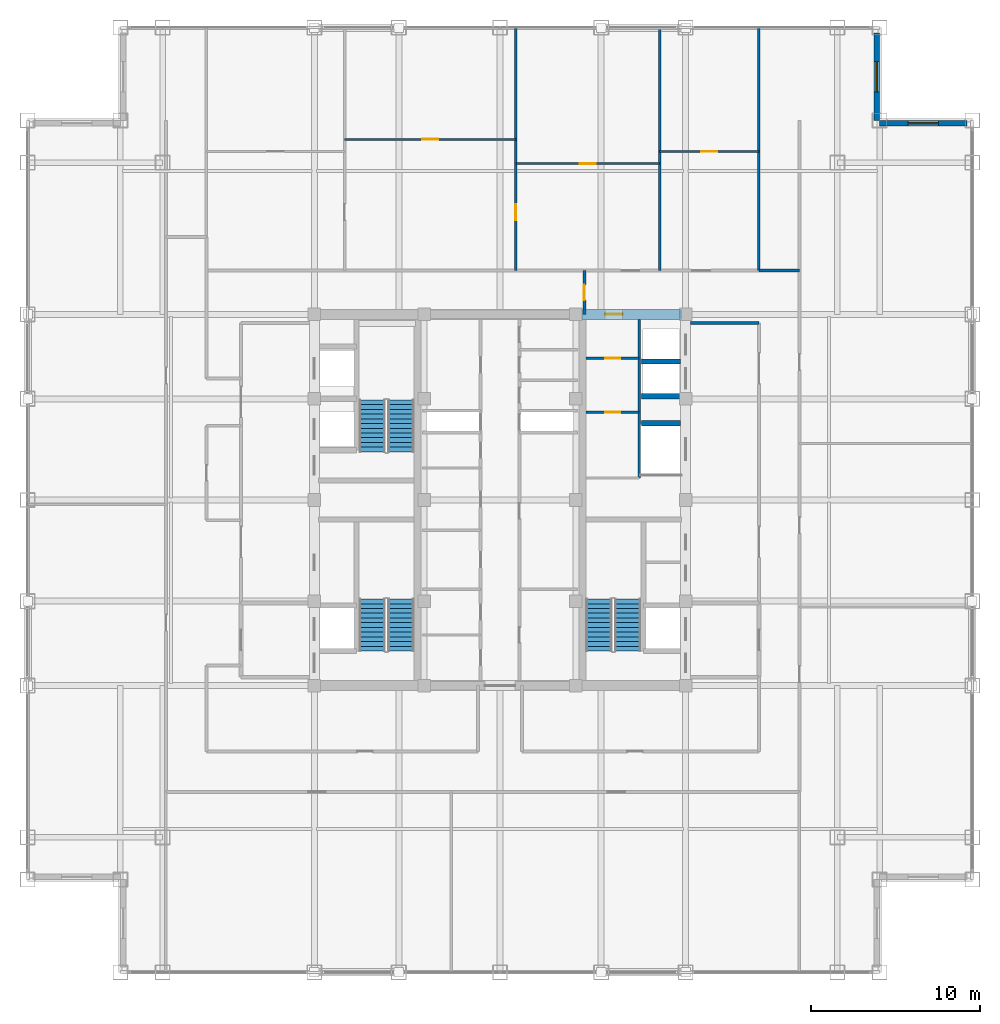
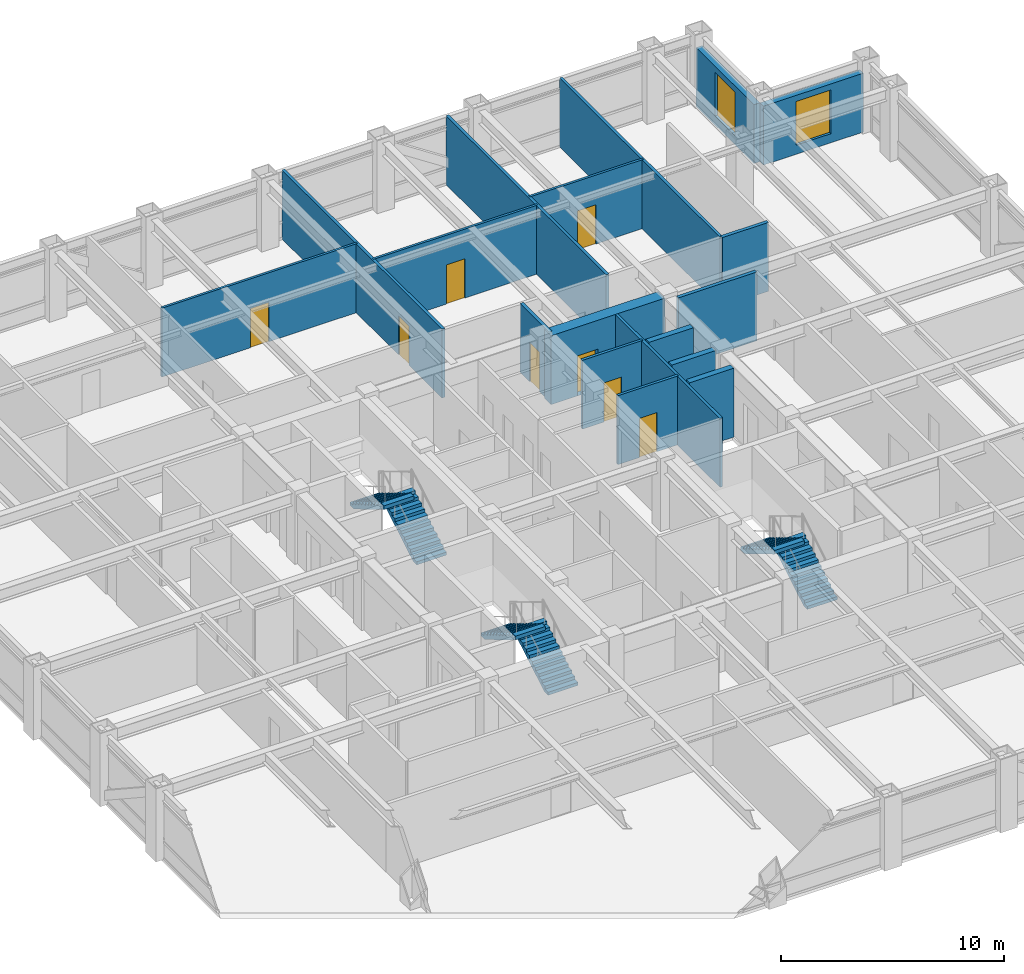
# One storey, part 21 of 22: 18 walls, 8 doors, 6 stair flights, 2 windows, 10 openings, 3 elements without a shape of their own.
"""IFC4 building model written with IfcOpenShell, lengths in metres."""

from ifc_helpers import new_model, si_unit, direction, frame, frame_2d, origin, place, context, subcontext, project, spatial, polyline, rectangle, outline, extrude, source, transform, mapped, material, layer, layer_set, type_object, element, fill, aggregate, save


model = new_model("IFC4")

# Units and contexts
model_context = context("Model", 3, precision=1e-05, world=origin(), true_north=direction((0.0, 1.0)))
body_context = subcontext(model_context, "Body", "Model", "MODEL_VIEW")
ifc_project = project(units=[si_unit("LENGTHUNIT", "METRE"), si_unit("AREAUNIT", "SQUARE_METRE"), si_unit("VOLUMEUNIT", "CUBIC_METRE"), si_unit("PLANEANGLEUNIT", "RADIAN"), si_unit("MASSUNIT", "GRAM", prefix="KILO")], contexts=[model_context])

# Site, building, storey
site_placement = place(None, origin())
site = spatial("IfcSite", under=ifc_project, at=site_placement, CompositionType="ELEMENT")
building_placement = place(site_placement, origin())
building = spatial("IfcBuilding", under=site, at=building_placement, Name="Khorayat Bourse Tower", CompositionType="ELEMENT")
storey_placement = place(building_placement, frame((0.0, 0.0, 301.5)))
storey = spatial("IfcBuildingStorey", under=building, at=storey_placement, Name="L71", CompositionType="ELEMENT", Elevation=301.5)

# Wall, opening, door
ifc_material_1 = material(Name="Concrete C60/75", Category="concrete")
ifc_layer_1 = layer(ifc_material_1, 0.60009765625)
ifc_layer_set_1 = layer_set([ifc_layer_1], Name="Concrete C60/75")
wall_type_1 = type_object("IfcWallType", Name="WAL-CORE-600", PredefinedType="SHEAR", material=ifc_layer_set_1)
shared_shape_1 = source(origin(), body_context, "Body", "SweptSolid", [
    extrude(rectangle(XDim=5.89990234375, YDim=0.60009765625, at=frame_2d((2.949951171875, 0.0))), origin(), (0.0, 0.0, 1.0), 3.780029296875),
])
wall_1_placement = place(storey_placement, frame((4.85009765625, 11.0, 0.0), z_axis=(0.0, 0.0, 1.0), x_axis=(1.0, 0.0, 0.0)))
wall_1 = element("IfcWall", 1, at=wall_1_placement, inside=storey, type_object=wall_type_1, Name="L71 Core Shear Wall PIER-EN", PredefinedType="SHEAR", context=body_context, shape_type="MappedRepresentation", body=[
    mapped(shared_shape_1, transform((0.0, 0.0, 0.0), scale=1.0)),
])
shared_shape_2 = source(origin(), body_context, "Body", "SweptSolid", [
    extrude(rectangle(XDim=1.050048828125, YDim=2.199951171875, at=frame_2d((0.52490234375, 1.10009765625))), frame((0.0, 0.31005859375, 0.0), z_axis=(0.0, -1.0, 0.0), x_axis=(1.0, 0.0, 0.0)), (0.0, 0.0, 1.0), 0.6201171875),
])
opening_1_placement = place(wall_1_placement, frame((1.375, 0.0, 0.0)))
opening_1 = element("IfcOpeningElement", 2, at=opening_1_placement, cuts=wall_1, Name="Opening DI-04", PredefinedType="OPENING", context=body_context, shape_type="MappedRepresentation", body=[
    mapped(shared_shape_2, transform((0.0, 0.0, 0.0), scale=1.0)),
])
ifc_material_2 = material(Name="Fire-rated oak veneer suite entrance door")
door_type_1 = type_object("IfcDoorType", Name="DR-INT-SUITE-1050", OperationType="NOTDEFINED", PredefinedType="DOOR", material=ifc_material_2)
shared_shape_3 = source(origin(), body_context, "Body", "SweptSolid", [
    extrude(rectangle(XDim=1.050048828125, YDim=2.199951171875, at=frame_2d((0.52490234375, 1.10009765625))), frame((0.0, 0.02490234375, 0.0), z_axis=(0.0, -1.0, 0.0), x_axis=(1.0, 0.0, 0.0)), (0.0, 0.0, 1.0), 0.050048828125),
])
door_1_placement = place(opening_1_placement, origin())
door_1 = element("IfcDoor", 3, at=door_1_placement, inside=storey, type_object=door_type_1, Name="L71 Core Washroom Lobby Door", OperationType="SINGLE_SWING_LEFT", OverallHeight=2.199951171875, OverallWidth=1.050048828125, PredefinedType="DOOR", context=body_context, shape_type="MappedRepresentation", body=[
    mapped(shared_shape_3, transform((0.0, 0.0, 0.0), scale=1.0)),
])
fill(opening_1, door_1)

# Wall, opening, window
ifc_material_3 = material(Name="Precast concrete C45/55", Category="concrete")
ifc_layer_2 = layer(ifc_material_3, 0.320068359375)
ifc_layer_set_2 = layer_set([ifc_layer_2], Name="Precast concrete C45/55")
wall_type_2 = type_object("IfcWallType", Name="WAL-EXT-STONE-320", PredefinedType="STANDARD", material=ifc_layer_set_2)
shared_shape_4 = source(origin(), body_context, "Body", "SweptSolid", [
    extrude(rectangle(XDim=5.179931640625, YDim=0.320068359375, at=frame_2d((2.58984375, 0.0))), origin(), (0.0, 0.0, 1.0), 3.23095703125),
])
wall_2_placement = place(storey_placement, frame((22.5, 22.340087890625, 0.0), z_axis=(0.0, 0.0, 1.0), x_axis=(1.0, 0.0, 0.0)))
wall_2 = element("IfcWall", 4, at=wall_2_placement, inside=storey, type_object=wall_type_2, Name="L71 Re-Entrant Notch Limestone Wall NE-H", PredefinedType="STANDARD", context=body_context, shape_type="MappedRepresentation", body=[
    mapped(shared_shape_4, transform((0.0, 0.0, 0.0), scale=1.0)),
])
shared_shape_5 = source(origin(), body_context, "Body", "SweptSolid", [
    extrude(rectangle(XDim=1.800048828125, YDim=2.39990234375, at=frame_2d((0.89990234375, 1.199951171875))), frame((0.0, 0.169921875, 0.0), z_axis=(0.0, -1.0, 0.0), x_axis=(1.0, 0.0, 0.0)), (0.0, 0.0, 1.0), 0.340087890625),
])
opening_2_placement = place(wall_2_placement, frame((1.68994140625, 0.0, 0.5)))
opening_2 = element("IfcOpeningElement", 5, at=opening_2_placement, cuts=wall_2, Name="Opening WN-04", PredefinedType="OPENING", context=body_context, shape_type="MappedRepresentation", body=[
    mapped(shared_shape_5, transform((0.0, 0.0, 0.0), scale=1.0)),
])
ifc_material_4 = material(Name="Low-E acoustic laminated double glazing", Category="glass")
window_type = type_object("IfcWindowType", Name="WIN-NOTCH-1800x2400", PartitioningType="SINGLE_PANEL", PredefinedType="WINDOW", material=ifc_material_4)
shared_shape_6 = source(origin(), body_context, "Body", "SweptSolid", [
    extrude(rectangle(XDim=1.800048828125, YDim=2.39990234375, at=frame_2d((0.89990234375, 1.199951171875))), frame((0.0, 0.030029296875, 0.0), z_axis=(0.0, -1.0, 0.0), x_axis=(1.0, 0.0, 0.0)), (0.0, 0.0, 1.0), 0.06005859375),
])
window_1_placement = place(opening_2_placement, origin())
window_1 = element("IfcWindow", 6, at=window_1_placement, inside=storey, type_object=window_type, Name="L71 Facade Window 1", OverallHeight=2.39990234375, OverallWidth=1.800048828125, PartitioningType="SINGLE_PANEL", PredefinedType="WINDOW", context=body_context, shape_type="MappedRepresentation", body=[
    mapped(shared_shape_6, transform((0.0, 0.0, 0.0), scale=1.0)),
])
fill(opening_2, window_1)

wall_3_placement = place(storey_placement, frame((22.340087890625, 22.5, 0.0), z_axis=(0.0, 0.0, 1.0), x_axis=(0.0, 1.0, 0.0)))
wall_3 = element("IfcWall", 7, at=wall_3_placement, inside=storey, type_object=wall_type_2, Name="L71 Re-Entrant Notch Limestone Wall NE-V", PredefinedType="STANDARD", context=body_context, shape_type="MappedRepresentation", body=[
    mapped(shared_shape_4, transform((0.0, 0.0, 0.0), scale=1.0)),
])
opening_3_placement = place(wall_3_placement, frame((1.68994140625, 0.0, 0.5)))
opening_3 = element("IfcOpeningElement", 8, at=opening_3_placement, cuts=wall_3, Name="Opening WN-04", PredefinedType="OPENING", context=body_context, shape_type="MappedRepresentation", body=[
    mapped(shared_shape_5, transform((0.0, 0.0, 0.0), scale=1.0)),
])
window_2_placement = place(opening_3_placement, origin())
window_2 = element("IfcWindow", 9, at=window_2_placement, inside=storey, type_object=window_type, Name="L71 Facade Window 1", OverallHeight=2.39990234375, OverallWidth=1.800048828125, PartitioningType="SINGLE_PANEL", PredefinedType="WINDOW", context=body_context, shape_type="MappedRepresentation", body=[
    mapped(shared_shape_6, transform((0.0, 0.0, 0.0), scale=1.0)),
])
fill(opening_3, window_2)

# Walls
ifc_material_5 = material(Name="Concrete C50/60", Category="concrete")
ifc_layer_3 = layer(ifc_material_5, 0.300048828125)
ifc_layer_set_3 = layer_set([ifc_layer_3], Name="Concrete C50/60")
wall_type_3 = type_object("IfcWallType", Name="WAL-SHAFT-300", PredefinedType="SHEAR", material=ifc_layer_set_3)
shared_shape_7 = source(origin(), body_context, "Body", "SweptSolid", [
    extrude(rectangle(XDim=2.300048828125, YDim=0.300048828125, at=frame_2d((1.14990234375, 0.0))), origin(), (0.0, 0.0, 1.0), 3.780029296875),
])
for number, where, z_axis, x_axis, name in (
    (10, (8.39990234375, 4.550048828125, 0.0), (0.0, 0.0, 1.0), (1.0, 0.0, 0.0), "L71 Partition WAL-L71-EPIER-SVLN"),
    (11, (8.39990234375, 6.14990234375, 0.0), (0.0, 0.0, 1.0), (1.0, 0.0, 0.0), "L71 Partition WAL-L71-EPIER-H3S"),
    (12, (8.39990234375, 8.199951171875, 0.0), (0.0, 0.0, 1.0), (1.0, 0.0, 0.0), "L71 Partition WAL-L71-EPIER-H34"),
):
    element("IfcWall", number, at=place(storey_placement, frame(where, z_axis=z_axis, x_axis=x_axis)), inside=storey, type_object=wall_type_3, Name=name, PredefinedType="SHEAR", context=body_context, shape_type="MappedRepresentation", body=[
        mapped(shared_shape_7, transform((0.0, 0.0, 0.0), scale=1.0)),
    ])
ifc_material_6 = material(Name="Moisture-resistant masonry partition", Category="masonry")
ifc_layer_4 = layer(ifc_material_6, 0.139892578125)
ifc_layer_set_4 = layer_set([ifc_layer_4], Name="Moisture-resistant masonry partition")
wall_type_4 = type_object("IfcWallType", Name="WAL-PART-WET-140", PredefinedType="PARTITIONING", material=ifc_layer_set_4)
shared_shape_8 = source(origin(), body_context, "Body", "SweptSolid", [
    extrude(rectangle(XDim=9.39990234375, YDim=0.139892578125, at=frame_2d((4.699951171875, 0.0))), origin(), (0.0, 0.0, 1.0), 3.780029296875),
])
wall_4_placement = place(storey_placement, frame((8.25, 1.300048828125, 0.0), z_axis=(0.0, 0.0, 1.0), x_axis=(0.0, 1.0, 0.0)))
element("IfcWall", 13, at=wall_4_placement, inside=storey, type_object=wall_type_4, Name="L71 Partition WAL-L71-ECORE-E", PredefinedType="PARTITIONING", context=body_context, shape_type="MappedRepresentation", body=[
    mapped(shared_shape_8, transform((0.0, 0.0, 0.0), scale=1.0)),
])

# Wall, opening, door
shared_shape_9 = source(origin(), body_context, "Body", "SweptSolid", [
    extrude(rectangle(XDim=3.14990234375, YDim=0.139892578125, at=frame_2d((1.574951171875, 0.0))), origin(), (0.0, 0.0, 1.0), 3.780029296875),
])
wall_5_placement = place(storey_placement, frame((5.10009765625, 8.39990234375, 0.0), z_axis=(0.0, 0.0, 1.0), x_axis=(1.0, 0.0, 0.0)))
wall_5 = element("IfcWall", 14, at=wall_5_placement, inside=storey, type_object=wall_type_4, Name="L71 Partition WAL-L71-ECW-TOP", PredefinedType="PARTITIONING", context=body_context, shape_type="MappedRepresentation", body=[
    mapped(shared_shape_9, transform((0.0, 0.0, 0.0), scale=1.0)),
])
shared_shape_10 = source(origin(), body_context, "Body", "SweptSolid", [
    extrude(rectangle(XDim=0.89990234375, YDim=2.14990234375, at=frame_2d((0.449951171875, 1.074951171875))), frame((0.0, 0.079833984375, 0.0), z_axis=(0.0, -1.0, 0.0), x_axis=(1.0, 0.0, 0.0)), (0.0, 0.0, 1.0), 0.159912109375),
])
opening_4_placement = place(wall_5_placement, frame((1.1298828125, 0.0, 0.0)))
opening_4 = element("IfcOpeningElement", 15, at=opening_4_placement, cuts=wall_5, Name="Opening DI-06", PredefinedType="OPENING", context=body_context, shape_type="MappedRepresentation", body=[
    mapped(shared_shape_10, transform((0.0, 0.0, 0.0), scale=1.0)),
])
ifc_material_7 = material(Name="Moisture-resistant laminate washroom door")
door_type_2 = type_object("IfcDoorType", Name="DR-INT-WC-900", OperationType="NOTDEFINED", PredefinedType="DOOR", material=ifc_material_7)
shared_shape_11 = source(origin(), body_context, "Body", "SweptSolid", [
    extrude(rectangle(XDim=0.89990234375, YDim=2.14990234375, at=frame_2d((0.449951171875, 1.074951171875))), frame((0.0, 0.02490234375, 0.0), z_axis=(0.0, -1.0, 0.0), x_axis=(1.0, 0.0, 0.0)), (0.0, 0.0, 1.0), 0.050048828125),
])
door_2_placement = place(opening_4_placement, origin())
door_2 = element("IfcDoor", 16, at=door_2_placement, inside=storey, type_object=door_type_2, Name="L71 Accessible WC Door", OperationType="SINGLE_SWING_LEFT", OverallHeight=2.14990234375, OverallWidth=0.89990234375, PredefinedType="DOOR", context=body_context, shape_type="MappedRepresentation", body=[
    mapped(shared_shape_11, transform((0.0, 0.0, 0.0), scale=1.0)),
])
fill(opening_4, door_2)

wall_6_placement = place(storey_placement, frame((5.10009765625, 5.199951171875, 0.0), z_axis=(0.0, 0.0, 1.0), x_axis=(1.0, 0.0, 0.0)))
wall_6 = element("IfcWall", 17, at=wall_6_placement, inside=storey, type_object=wall_type_4, Name="L71 Partition WAL-L71-ECW-HZ", PredefinedType="PARTITIONING", context=body_context, shape_type="MappedRepresentation", body=[
    mapped(shared_shape_9, transform((0.0, 0.0, 0.0), scale=1.0)),
])
opening_5_placement = place(wall_6_placement, frame((1.1298828125, 0.0, 0.0)))
opening_5 = element("IfcOpeningElement", 18, at=opening_5_placement, cuts=wall_6, Name="Opening DI-06", PredefinedType="OPENING", context=body_context, shape_type="MappedRepresentation", body=[
    mapped(shared_shape_10, transform((0.0, 0.0, 0.0), scale=1.0)),
])
door_3_placement = place(opening_5_placement, origin())
door_3 = element("IfcDoor", 19, at=door_3_placement, inside=storey, type_object=door_type_2, Name="L71 Shared Washroom Door", OperationType="SINGLE_SWING_RIGHT", OverallHeight=2.14990234375, OverallWidth=0.89990234375, PredefinedType="DOOR", context=body_context, shape_type="MappedRepresentation", body=[
    mapped(shared_shape_11, transform((0.0, 0.0, 0.0), scale=1.0)),
])
fill(opening_5, door_3)

# Wall
ifc_material_8 = material(Name="Gypsum plasterboard acoustic stud wall")
ifc_layer_5 = layer(ifc_material_8, 0.179931640625)
ifc_layer_set_5 = layer_set([ifc_layer_5], Name="Gypsum plasterboard acoustic stud wall")
wall_type_5 = type_object("IfcWallType", Name="WAL-PART-CORR-180", PredefinedType="PARTITIONING", material=ifc_layer_set_5)
shared_shape_12 = source(origin(), body_context, "Body", "SweptSolid", [
    extrude(rectangle(XDim=4.050048828125, YDim=0.179931640625, at=frame_2d((2.02490234375, 0.0))), origin(), (0.0, 0.0, 1.0), 3.780029296875),
])
wall_7_placement = place(storey_placement, frame((11.300048828125, 10.5, 0.0), z_axis=(0.0, 0.0, 1.0), x_axis=(1.0, 0.0, 0.0)))
element("IfcWall", 20, at=wall_7_placement, inside=storey, type_object=wall_type_5, Name="L71 Partition WAL-L71-ELOB-N", PredefinedType="PARTITIONING", context=body_context, shape_type="MappedRepresentation", body=[
    mapped(shared_shape_12, transform((0.0, 0.0, 0.0), scale=1.0)),
])

# Wall, opening, door
shared_shape_13 = source(origin(), body_context, "Body", "SweptSolid", [
    extrude(rectangle(XDim=2.60009765625, YDim=0.179931640625, at=frame_2d((1.300048828125, 0.0))), origin(), (0.0, 0.0, 1.0), 3.780029296875),
])
wall_8_placement = place(storey_placement, frame((5.0, 11.0, 0.0), z_axis=(0.0, 0.0, 1.0), x_axis=(0.0, 1.0, 0.0)))
wall_8 = element("IfcWall", 21, at=wall_8_placement, inside=storey, type_object=wall_type_5, Name="L71 Partition WAL-L71-CORRNE-W", PredefinedType="PARTITIONING", context=body_context, shape_type="MappedRepresentation", body=[
    mapped(shared_shape_13, transform((0.0, 0.0, 0.0), scale=1.0)),
])
shared_shape_14 = source(origin(), body_context, "Body", "SweptSolid", [
    extrude(rectangle(XDim=0.89990234375, YDim=2.14990234375, at=frame_2d((0.449951171875, 1.074951171875))), frame((0.0, 0.099853515625, 0.0), z_axis=(0.0, -1.0, 0.0), x_axis=(1.0, 0.0, 0.0)), (0.0, 0.0, 1.0), 0.199951171875),
])
opening_6_placement = place(wall_8_placement, frame((0.85009765625, 0.0, 0.0)))
opening_6 = element("IfcOpeningElement", 22, at=opening_6_placement, cuts=wall_8, Name="Opening DI-06", PredefinedType="OPENING", context=body_context, shape_type="MappedRepresentation", body=[
    mapped(shared_shape_14, transform((0.0, 0.0, 0.0), scale=1.0)),
])
door_4_placement = place(opening_6_placement, origin())
door_4 = element("IfcDoor", 23, at=door_4_placement, inside=storey, type_object=door_type_2, Name="L71 North Core Pantry Door", OperationType="SINGLE_SWING_LEFT", OverallHeight=2.14990234375, OverallWidth=0.89990234375, PredefinedType="DOOR", context=body_context, shape_type="MappedRepresentation", body=[
    mapped(shared_shape_11, transform((0.0, 0.0, 0.0), scale=1.0)),
])
fill(opening_6, door_4)

# Wall
shared_shape_15 = source(origin(), body_context, "Body", "SweptSolid", [
    extrude(rectangle(XDim=2.39990234375, YDim=0.179931640625, at=frame_2d((1.199951171875, 0.0))), origin(), (0.0, 0.0, 1.0), 3.780029296875),
])
wall_9_placement = place(storey_placement, frame((15.35009765625, 13.60009765625, 0.0), z_axis=(0.0, 0.0, 1.0), x_axis=(1.0, 0.0, 0.0)))
element("IfcWall", 24, at=wall_9_placement, inside=storey, type_object=wall_type_5, Name="L71 Partition WAL-L71-GALE-N", PredefinedType="PARTITIONING", context=body_context, shape_type="MappedRepresentation", body=[
    mapped(shared_shape_15, transform((0.0, 0.0, 0.0), scale=1.0)),
])

# Wall, opening, door
ifc_material_9 = material(Name="Gypsum plasterboard twin-frame partition")
ifc_layer_6 = layer(ifc_material_9, 0.14990234375)
ifc_layer_set_6 = layer_set([ifc_layer_6], Name="Gypsum plasterboard twin-frame partition")
wall_type_6 = type_object("IfcWallType", Name="WAL-PART-SUITE-150", PredefinedType="PARTITIONING", material=ifc_layer_set_6)
shared_shape_16 = source(origin(), body_context, "Body", "SweptSolid", [
    extrude(rectangle(XDim=14.39990234375, YDim=0.14990234375, at=frame_2d((7.199951171875, 0.0))), origin(), (0.0, 0.0, 1.0), 3.780029296875),
])
wall_10_placement = place(storey_placement, frame((0.93994140625, 13.60009765625, 0.0), z_axis=(0.0, 0.0, 1.0), x_axis=(0.0, 1.0, 0.0)))
wall_10 = element("IfcWall", 25, at=wall_10_placement, inside=storey, type_object=wall_type_6, Name="L71 Partition WAL-L71-NDV-2", PredefinedType="PARTITIONING", context=body_context, shape_type="MappedRepresentation", body=[
    mapped(shared_shape_16, transform((0.0, 0.0, 0.0), scale=1.0)),
])
shared_shape_17 = source(origin(), body_context, "Body", "SweptSolid", [
    extrude(rectangle(XDim=0.949951171875, YDim=2.14990234375, at=frame_2d((0.47509765625, 1.074951171875))), frame((0.0, 0.0849609375, 0.0), z_axis=(0.0, -1.0, 0.0), x_axis=(1.0, 0.0, 0.0)), (0.0, 0.0, 1.0), 0.169921875),
])
opening_7_placement = place(wall_10_placement, frame((2.98095703125, 0.0, 0.0)))
opening_7 = element("IfcOpeningElement", 26, at=opening_7_placement, cuts=wall_10, Name="Opening DI-05", PredefinedType="OPENING", context=body_context, shape_type="MappedRepresentation", body=[
    mapped(shared_shape_17, transform((0.0, 0.0, 0.0), scale=1.0)),
])
ifc_material_10 = material(Name="Acoustic oak veneer office door")
door_type_3 = type_object("IfcDoorType", Name="DR-INT-OFFICE-950", OperationType="NOTDEFINED", PredefinedType="DOOR", material=ifc_material_10)
shared_shape_18 = source(origin(), body_context, "Body", "SweptSolid", [
    extrude(rectangle(XDim=0.949951171875, YDim=2.14990234375, at=frame_2d((0.47509765625, 1.074951171875))), frame((0.0, 0.02490234375, 0.0), z_axis=(0.0, -1.0, 0.0), x_axis=(1.0, 0.0, 0.0)), (0.0, 0.0, 1.0), 0.050048828125),
])
door_5_placement = place(opening_7_placement, origin())
door_5 = element("IfcDoor", 27, at=door_5_placement, inside=storey, type_object=door_type_3, Name="L71 N Suite Link 2", OperationType="SINGLE_SWING_LEFT", OverallHeight=2.14990234375, OverallWidth=0.949951171875, PredefinedType="DOOR", context=body_context, shape_type="MappedRepresentation", body=[
    mapped(shared_shape_18, transform((0.0, 0.0, 0.0), scale=1.0)),
])
fill(opening_7, door_5)

# Walls
for number, where, z_axis, x_axis, name in (
    (28, (9.455078125, 13.60009765625, 0.0), (0.0, 0.0, 1.0), (0.0, 1.0, 0.0), "L71 Partition WAL-L71-NDV-3"),
    (29, (15.35009765625, 13.60009765625, 0.0), (0.0, 0.0, 1.0), (0.0, 1.0, 0.0), "L71 Partition WAL-L71-NCE-END"),
):
    element("IfcWall", number, at=place(storey_placement, frame(where, z_axis=z_axis, x_axis=x_axis)), inside=storey, type_object=wall_type_6, Name=name, PredefinedType="PARTITIONING", context=body_context, shape_type="MappedRepresentation", body=[
        mapped(shared_shape_16, transform((0.0, 0.0, 0.0), scale=1.0)),
    ])

# Wall, opening, door
ifc_material_11 = material(Name="Gypsum plasterboard partition")
ifc_layer_7 = layer(ifc_material_11, 0.125)
ifc_layer_set_7 = layer_set([ifc_layer_7], Name="Gypsum plasterboard partition")
wall_type_7 = type_object("IfcWallType", Name="WAL-PART-ROOM-125", PredefinedType="PARTITIONING", material=ifc_layer_set_7)
shared_shape_19 = source(origin(), body_context, "Body", "SweptSolid", [
    extrude(rectangle(XDim=10.15234375, YDim=0.125, at=frame_2d((5.076171875, 0.0))), origin(), (0.0, 0.0, 1.0), 3.780029296875),
])
wall_11_placement = place(storey_placement, frame((-9.21240234375, 21.3759765625, 0.0), z_axis=(0.0, 0.0, 1.0), x_axis=(1.0, 0.0, 0.0)))
wall_11 = element("IfcWall", 30, at=wall_11_placement, inside=storey, type_object=wall_type_7, Name="L71 Partition WAL-L71-NDP-2", PredefinedType="PARTITIONING", context=body_context, shape_type="MappedRepresentation", body=[
    mapped(shared_shape_19, transform((0.0, 0.0, 0.0), scale=1.0)),
])
shared_shape_20 = source(origin(), body_context, "Body", "SweptSolid", [
    extrude(rectangle(XDim=0.949951171875, YDim=2.14990234375, at=frame_2d((0.47509765625, 1.074951171875))), frame((0.0, 0.072509765625, 0.0), z_axis=(0.0, -1.0, 0.0), x_axis=(1.0, 0.0, 0.0)), (0.0, 0.0, 1.0), 0.14501953125),
])
opening_8_placement = place(wall_11_placement, frame((4.601318359375, 0.0, 0.0)))
opening_8 = element("IfcOpeningElement", 31, at=opening_8_placement, cuts=wall_11, Name="Opening DI-05", PredefinedType="OPENING", context=body_context, shape_type="MappedRepresentation", body=[
    mapped(shared_shape_20, transform((0.0, 0.0, 0.0), scale=1.0)),
])
door_6_placement = place(opening_8_placement, origin())
door_6 = element("IfcDoor", 32, at=door_6_placement, inside=storey, type_object=door_type_3, Name="L71 Members Dining Room N2B Door", OperationType="SINGLE_SWING_LEFT", OverallHeight=2.14990234375, OverallWidth=0.949951171875, PredefinedType="DOOR", context=body_context, shape_type="MappedRepresentation", body=[
    mapped(shared_shape_18, transform((0.0, 0.0, 0.0), scale=1.0)),
])
fill(opening_8, door_6)

shared_shape_21 = source(origin(), body_context, "Body", "SweptSolid", [
    extrude(rectangle(XDim=8.51513671875, YDim=0.125, at=frame_2d((4.257568359375, 0.0))), origin(), (0.0, 0.0, 1.0), 3.780029296875),
])
wall_12_placement = place(storey_placement, frame((0.93994140625, 19.93603515625, 0.0), z_axis=(0.0, 0.0, 1.0), x_axis=(1.0, 0.0, 0.0)))
wall_12 = element("IfcWall", 33, at=wall_12_placement, inside=storey, type_object=wall_type_7, Name="L71 Partition WAL-L71-NDP-3", PredefinedType="PARTITIONING", context=body_context, shape_type="MappedRepresentation", body=[
    mapped(shared_shape_21, transform((0.0, 0.0, 0.0), scale=1.0)),
])
opening_9_placement = place(wall_12_placement, frame((3.782470703125, 0.0, 0.0)))
opening_9 = element("IfcOpeningElement", 34, at=opening_9_placement, cuts=wall_12, Name="Opening DI-05", PredefinedType="OPENING", context=body_context, shape_type="MappedRepresentation", body=[
    mapped(shared_shape_20, transform((0.0, 0.0, 0.0), scale=1.0)),
])
door_7_placement = place(opening_9_placement, origin())
door_7 = element("IfcDoor", 35, at=door_7_placement, inside=storey, type_object=door_type_3, Name="L71 Clearing Records Archive Store N3B Door", OperationType="SINGLE_SWING_RIGHT", OverallHeight=2.14990234375, OverallWidth=0.949951171875, PredefinedType="DOOR", context=body_context, shape_type="MappedRepresentation", body=[
    mapped(shared_shape_18, transform((0.0, 0.0, 0.0), scale=1.0)),
])
fill(opening_9, door_7)

shared_shape_22 = source(origin(), body_context, "Body", "SweptSolid", [
    extrude(rectangle(XDim=5.89501953125, YDim=0.125, at=frame_2d((2.947509765625, 0.0))), origin(), (0.0, 0.0, 1.0), 3.780029296875),
])
wall_13_placement = place(storey_placement, frame((9.455078125, 20.656005859375, 0.0), z_axis=(0.0, 0.0, 1.0), x_axis=(1.0, 0.0, 0.0)))
wall_13 = element("IfcWall", 36, at=wall_13_placement, inside=storey, type_object=wall_type_7, Name="L71 Partition WAL-L71-NDP-4", PredefinedType="PARTITIONING", context=body_context, shape_type="MappedRepresentation", body=[
    mapped(shared_shape_22, transform((0.0, 0.0, 0.0), scale=1.0)),
])
opening_10_placement = place(wall_13_placement, frame((2.472412109375, 0.0, 0.0)))
opening_10 = element("IfcOpeningElement", 37, at=opening_10_placement, cuts=wall_13, Name="Opening DI-05", PredefinedType="OPENING", context=body_context, shape_type="MappedRepresentation", body=[
    mapped(shared_shape_20, transform((0.0, 0.0, 0.0), scale=1.0)),
])
door_8_placement = place(opening_10_placement, origin())
door_8 = element("IfcDoor", 38, at=door_8_placement, inside=storey, type_object=door_type_3, Name="L71 Occupational First Aid Clinic N4B Door", OperationType="SINGLE_SWING_LEFT", OverallHeight=2.14990234375, OverallWidth=0.949951171875, PredefinedType="DOOR", context=body_context, shape_type="MappedRepresentation", body=[
    mapped(shared_shape_18, transform((0.0, 0.0, 0.0), scale=1.0)),
])
fill(opening_10, door_8)

# Stair, stair flights
ifc_material_12 = material(Name="Concrete C40/50", Category="concrete")
stair_type = type_object("IfcStairType", Name="STR-CORE-1550", PredefinedType="HALF_TURN_STAIR", material=ifc_material_12)
stair_1_placement = place(storey_placement, origin())
stair_1 = element("IfcStair", 39, at=stair_1_placement, inside=storey, type_object=stair_type, Name="L71 Exit Stair ST-1", PredefinedType="HALF_TURN_STAIR")
stair_flight_type = type_object("IfcStairFlightType", Name="FLT-CORE-1550", PredefinedType="STRAIGHT", material=ifc_material_12)
shared_shape_23 = source(origin(), body_context, "Body", "SweptSolid", [
    extrude(outline(polyline([(0.0, 0.0), (0.0, 0.166748046875), (0.280029296875, 0.166748046875), (0.280029296875, 0.333251953125), (0.56005859375, 0.333251953125), (0.56005859375, 0.5), (0.840087890625, 0.5), (0.840087890625, 0.666748046875), (1.1201171875, 0.666748046875), (1.1201171875, 0.833251953125), (1.39990234375, 0.833251953125), (1.39990234375, 1.0), (1.679931640625, 1.0), (1.679931640625, 1.166748046875), (1.9599609375, 1.166748046875), (1.9599609375, 1.333251953125), (2.239990234375, 1.333251953125), (2.239990234375, 1.5), (2.52001953125, 1.5), (2.52001953125, 1.666748046875), (2.800048828125, 1.666748046875), (2.800048828125, 1.833251953125), (3.080078125, 1.833251953125), (3.080078125, 2.0), (3.080078125, 1.6240234375), (0.351806640625, 0.0), (0.0, 0.0)])), frame((0.0, 0.77490234375, 0.0), z_axis=(0.0, -1.0, 0.0), x_axis=(1.0, 0.0, 0.0)), (0.0, 0.0, 1.0), 1.550048828125),
])
stair_flight_1_placement = place(storey_placement, frame((-5.875, -8.949951171875, 0.0), z_axis=(0.0, 0.0, 1.0), x_axis=(0.0, 1.0, 0.0)))
stair_flight_1 = element("IfcStairFlight", 40, at=stair_flight_1_placement, type_object=stair_flight_type, Name="ST-1 flight 1", NumberOfRisers=12, NumberOfTreads=11, PredefinedType="STRAIGHT", RiserHeight=0.166666667, TreadLength=0.28, context=body_context, shape_type="MappedRepresentation", body=[
    mapped(shared_shape_23, transform((0.0, 0.0, 0.0), scale=1.0)),
])
stair_flight_2_placement = place(storey_placement, frame((-7.574951171875, -5.8701171875, 2.0), z_axis=(0.0, 0.0, 1.0), x_axis=(0.0, -1.0, 0.0)))
stair_flight_2 = element("IfcStairFlight", 41, at=stair_flight_2_placement, type_object=stair_flight_type, Name="ST-1 flight 2", NumberOfRisers=12, NumberOfTreads=11, PredefinedType="STRAIGHT", RiserHeight=0.166666667, TreadLength=0.28, context=body_context, shape_type="MappedRepresentation", body=[
    mapped(shared_shape_23, transform((0.0, 0.0, 0.0), scale=1.0)),
])
aggregate(stair_1, [stair_flight_1, stair_flight_2])

stair_2_placement = place(storey_placement, origin())
stair_2 = element("IfcStair", 42, at=stair_2_placement, inside=storey, type_object=stair_type, Name="L71 Exit Stair ST-2", PredefinedType="HALF_TURN_STAIR")
stair_flight_3_placement = place(storey_placement, frame((-5.875, 2.85009765625, 0.0), z_axis=(0.0, 0.0, 1.0), x_axis=(0.0, 1.0, 0.0)))
stair_flight_3 = element("IfcStairFlight", 43, at=stair_flight_3_placement, type_object=stair_flight_type, Name="ST-2 flight 1", NumberOfRisers=12, NumberOfTreads=11, PredefinedType="STRAIGHT", RiserHeight=0.166666667, TreadLength=0.28, context=body_context, shape_type="MappedRepresentation", body=[
    mapped(shared_shape_23, transform((0.0, 0.0, 0.0), scale=1.0)),
])
stair_flight_4_placement = place(storey_placement, frame((-7.574951171875, 5.929931640625, 2.0), z_axis=(0.0, 0.0, 1.0), x_axis=(0.0, -1.0, 0.0)))
stair_flight_4 = element("IfcStairFlight", 44, at=stair_flight_4_placement, type_object=stair_flight_type, Name="ST-2 flight 2", NumberOfRisers=12, NumberOfTreads=11, PredefinedType="STRAIGHT", RiserHeight=0.166666667, TreadLength=0.28, context=body_context, shape_type="MappedRepresentation", body=[
    mapped(shared_shape_23, transform((0.0, 0.0, 0.0), scale=1.0)),
])
aggregate(stair_2, [stair_flight_3, stair_flight_4])

stair_3_placement = place(storey_placement, origin())
stair_3 = element("IfcStair", 45, at=stair_3_placement, inside=storey, type_object=stair_type, Name="L71 Exit Stair ST-3", PredefinedType="HALF_TURN_STAIR")
stair_flight_5_placement = place(storey_placement, frame((7.574951171875, -8.949951171875, 0.0), z_axis=(0.0, 0.0, 1.0), x_axis=(0.0, 1.0, 0.0)))
stair_flight_5 = element("IfcStairFlight", 46, at=stair_flight_5_placement, type_object=stair_flight_type, Name="ST-3 flight 1", NumberOfRisers=12, NumberOfTreads=11, PredefinedType="STRAIGHT", RiserHeight=0.166666667, TreadLength=0.28, context=body_context, shape_type="MappedRepresentation", body=[
    mapped(shared_shape_23, transform((0.0, 0.0, 0.0), scale=1.0)),
])
stair_flight_6_placement = place(storey_placement, frame((5.875, -5.8701171875, 2.0), z_axis=(0.0, 0.0, 1.0), x_axis=(0.0, -1.0, 0.0)))
stair_flight_6 = element("IfcStairFlight", 47, at=stair_flight_6_placement, type_object=stair_flight_type, Name="ST-3 flight 2", NumberOfRisers=12, NumberOfTreads=11, PredefinedType="STRAIGHT", RiserHeight=0.166666667, TreadLength=0.28, context=body_context, shape_type="MappedRepresentation", body=[
    mapped(shared_shape_23, transform((0.0, 0.0, 0.0), scale=1.0)),
])
aggregate(stair_3, [stair_flight_5, stair_flight_6])

save(model, "model.ifc")
